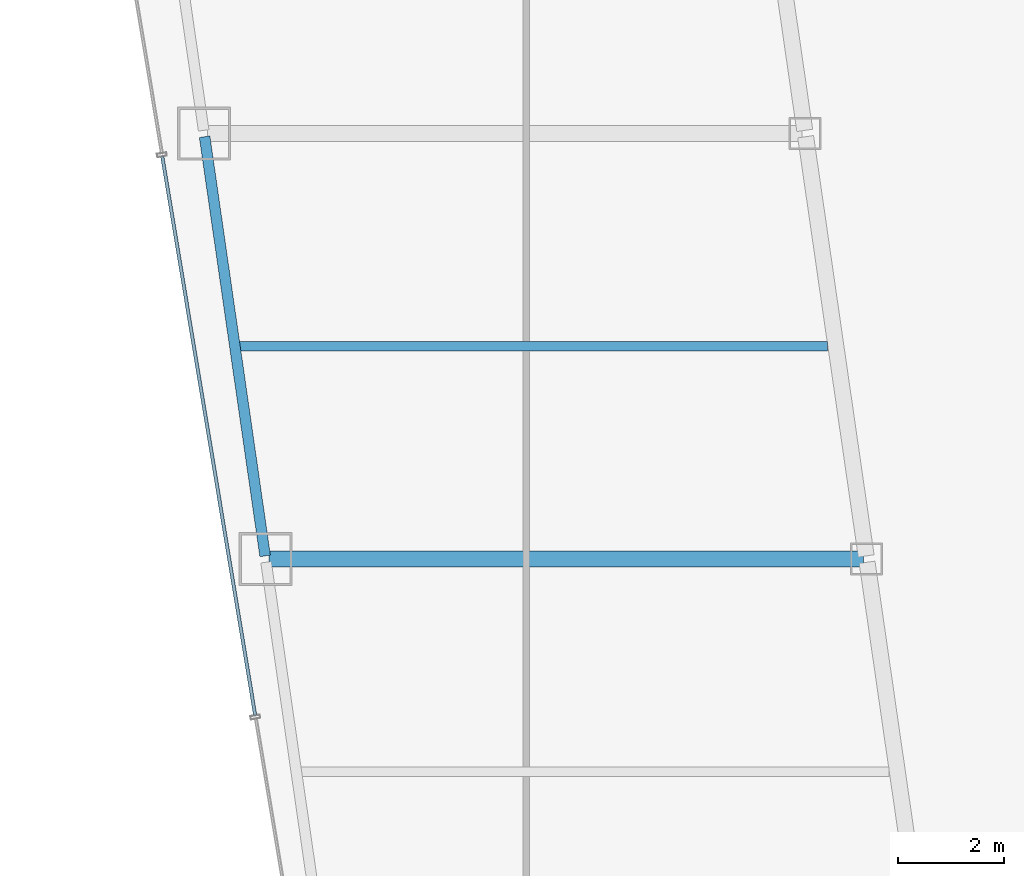
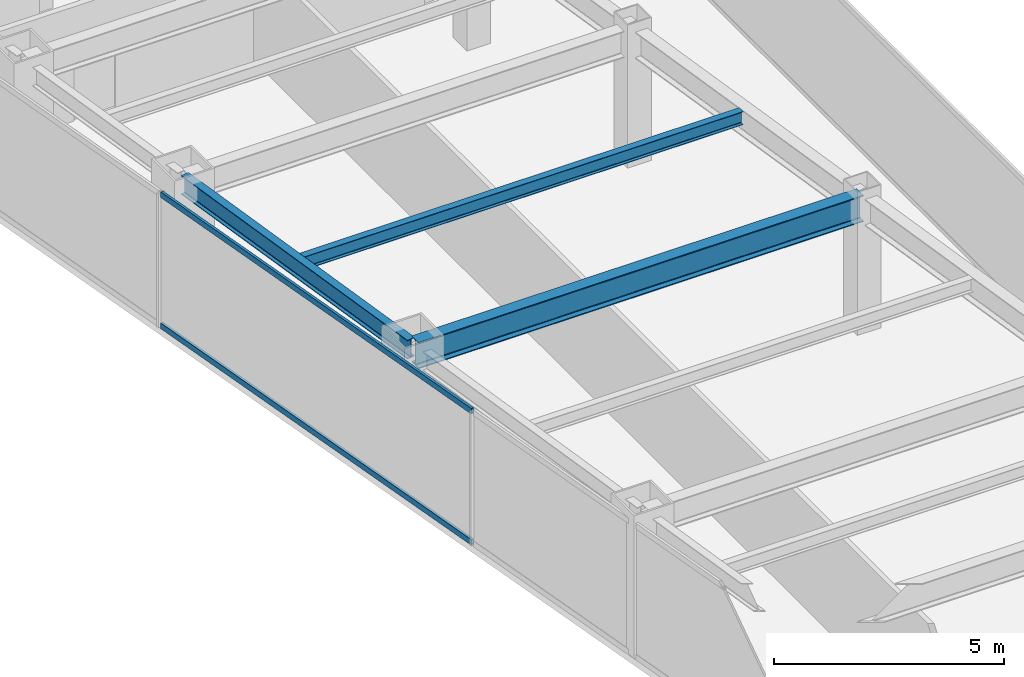
# One storey, part 8 of 36: 3 beams, 2 members, 1 element without a shape of its own.
"""IFC4 building model written with IfcOpenShell, lengths in metres."""

from ifc_helpers import new_model, si_unit, direction, frame, origin, origin_2d, place, context, subcontext, project, spatial, hollow_rectangle, i_section, extrude, material, material_profile, profile_set, type_object, element, aggregate, save


model = new_model("IFC4")

# Units and contexts
model_context = context("Model", 3, precision=1e-05, world=origin(), true_north=direction((0.0, 1.0)))
body_context = subcontext(model_context, "Body", "Model", "MODEL_VIEW")
ifc_project = project(units=[si_unit("LENGTHUNIT", "METRE"), si_unit("AREAUNIT", "SQUARE_METRE"), si_unit("VOLUMEUNIT", "CUBIC_METRE"), si_unit("PLANEANGLEUNIT", "RADIAN"), si_unit("MASSUNIT", "GRAM", prefix="KILO")], contexts=[model_context])

# Site, building, storey
site_placement = place(None, origin())
site = spatial("IfcSite", under=ifc_project, at=site_placement, CompositionType="ELEMENT")
building_placement = place(site_placement, origin())
building = spatial("IfcBuilding", under=site, at=building_placement, Name="Saevonmaru Cultural Tower", CompositionType="ELEMENT")
storey_placement = place(building_placement, frame((0.0, 0.0, 152.39990234375)))
storey = spatial("IfcBuildingStorey", under=building, at=storey_placement, Name="L33", CompositionType="ELEMENT", Elevation=152.39990234375)

# Beams
ifc_material_1 = material(Name="Steel SM355", Category="steel")
ifc_material_profile_1 = material_profile(ifc_material_1, i_section(OverallWidth=0.300048828125, OverallDepth=0.699951171875, WebThickness=0.012939453125, FlangeThickness=0.02392578125, FilletRadius=0.02587890625, at=origin_2d()), Name="H-700x300x13x24")
ifc_profile_set_1 = profile_set([ifc_material_profile_1], Name="Steel SM355")
beam_type_1 = type_object("IfcBeamType", Name="BM-G-H700", PredefinedType="BEAM", material=ifc_profile_set_1)
beam_1_placement = place(storey_placement, frame((9.531982421875, 24.0, 3.2001953125), z_axis=(1.0, 0.0, 0.0), x_axis=(0.0, 1.0, 0.0)))
element("IfcBeam", 1, at=beam_1_placement, inside=storey, type_object=beam_type_1, Name="L33 West Wing Transverse Girder 3", PredefinedType="BEAM", context=body_context, shape_type="SweptSolid", body=[
    extrude(i_section(OverallWidth=0.300048828125, OverallDepth=0.699951171875, WebThickness=0.012939453125, FlangeThickness=0.02392578125, FilletRadius=0.02587890625, at=origin_2d()), origin(), (0.0, 0.0, 1.0), 11.179931640625),
])
ifc_material_profile_2 = material_profile(ifc_material_1, i_section(OverallWidth=0.175048828125, OverallDepth=0.35009765625, WebThickness=0.007080078125, FlangeThickness=0.010986328125, FilletRadius=0.012939453125, at=origin_2d()), Name="H-350x175x7x11")
ifc_profile_set_2 = profile_set([ifc_material_profile_2], Name="Steel SM355")
beam_type_2 = type_object("IfcBeamType", Name="BM-J-H350", PredefinedType="JOIST", material=ifc_profile_set_2)
beam_2_placement = place(storey_placement, frame((8.95458984375, 28.0, 3.375), z_axis=(1.0, 0.0, 0.0), x_axis=(0.0, 1.0, 0.0)))
element("IfcBeam", 2, at=beam_2_placement, inside=storey, type_object=beam_type_2, Name="L33 West Wing Floor Joist 3", PredefinedType="JOIST", context=body_context, shape_type="SweptSolid", body=[
    extrude(i_section(OverallWidth=0.175048828125, OverallDepth=0.35009765625, WebThickness=0.007080078125, FlangeThickness=0.010986328125, FilletRadius=0.012939453125, at=origin_2d()), origin(), (0.0, 0.0, 1.0), 11.08203125),
])
ifc_material_profile_3 = material_profile(ifc_material_1, i_section(OverallWidth=0.199951171875, OverallDepth=0.5, WebThickness=0.010009765625, FlangeThickness=0.01611328125, FilletRadius=0.02001953125, at=origin_2d()), Name="H-500x200x10x16")
ifc_profile_set_3 = profile_set([ifc_material_profile_3], Name="Steel SM355")
beam_type_3 = type_object("IfcBeamType", Name="BM-SP-H500", PredefinedType="SPANDREL", material=ifc_profile_set_3)
beam_3_placement = place(storey_placement, frame((9.46337890625, 24.059326171875, 3.300048828125), z_axis=(-0.142871999001, 0.989741174197, 0.0), x_axis=(-0.989741174197, -0.142871999001, 0.0)))
element("IfcBeam", 3, at=beam_3_placement, inside=storey, type_object=beam_type_3, Name="L33 West Splayed Spandrel 3", PredefinedType="SPANDREL", context=body_context, shape_type="SweptSolid", body=[
    extrude(i_section(OverallWidth=0.199951171875, OverallDepth=0.5, WebThickness=0.010009765625, FlangeThickness=0.01611328125, FilletRadius=0.02001953125, at=origin_2d()), origin(), (0.0, 0.0, 1.0), 7.963134765625),
])

# Curtain wall, members
ifc_material_2 = material(Name="Satin Bronze Anodised Aluminium", Category="aluminium")
curtain_wall_type = type_object("IfcCurtainWallType", Name="CW-TYP-A", PredefinedType="NOTDEFINED", material=ifc_material_2)
curtain_wall_placement = place(storey_placement, origin())
curtain_wall = element("IfcCurtainWall", 4, at=curtain_wall_placement, inside=storey, type_object=curtain_wall_type, Name="L33 Unitised Curtain Wall E12", PredefinedType="NOTDEFINED")
ifc_material_profile_4 = material_profile(ifc_material_2, hollow_rectangle(XDim=0.06494140625, YDim=0.14990234375, WallThickness=0.00390625, at=origin_2d()), Name="ALU-TRAN-150x65x4")
ifc_profile_set_4 = profile_set([ifc_material_profile_4], Name="Satin Bronze Anodised Aluminium")
member_type = type_object("IfcMemberType", Name="TR-CW-150x65", PredefinedType="USERDEFINED", material=ifc_profile_set_4)
member_1_placement = place(storey_placement, frame((7.52978515625, 31.56787109375, 0.03271484375), z_axis=(0.163993787386, -0.98646137162, 0.0), x_axis=(0.98646137162, 0.163993787386, 0.0)))
member_1 = element("IfcMember", 5, at=member_1_placement, type_object=member_type, Name="CW-TW-L33-E12 transom 3.1", ObjectType="TRANSOM", PredefinedType="USERDEFINED", context=body_context, shape_type="SweptSolid", body=[
    extrude(hollow_rectangle(XDim=0.06494140625, YDim=0.14990234375, WallThickness=0.00390625, at=origin_2d()), origin(), (0.0, 0.0, 1.0), 10.650390625),
])
member_2_placement = place(storey_placement, frame((7.52978515625, 31.56787109375, 3.517578125), z_axis=(0.163993787386, -0.98646137162, 0.0), x_axis=(0.98646137162, 0.163993787386, 0.0)))
member_2 = element("IfcMember", 6, at=member_2_placement, type_object=member_type, Name="CW-TW-L33-E12 transom 3.2", ObjectType="TRANSOM", PredefinedType="USERDEFINED", context=body_context, shape_type="SweptSolid", body=[
    extrude(hollow_rectangle(XDim=0.06494140625, YDim=0.14990234375, WallThickness=0.00390625, at=origin_2d()), origin(), (0.0, 0.0, 1.0), 10.650390625),
])
aggregate(curtain_wall, [member_1, member_2])

save(model, "model.ifc")
